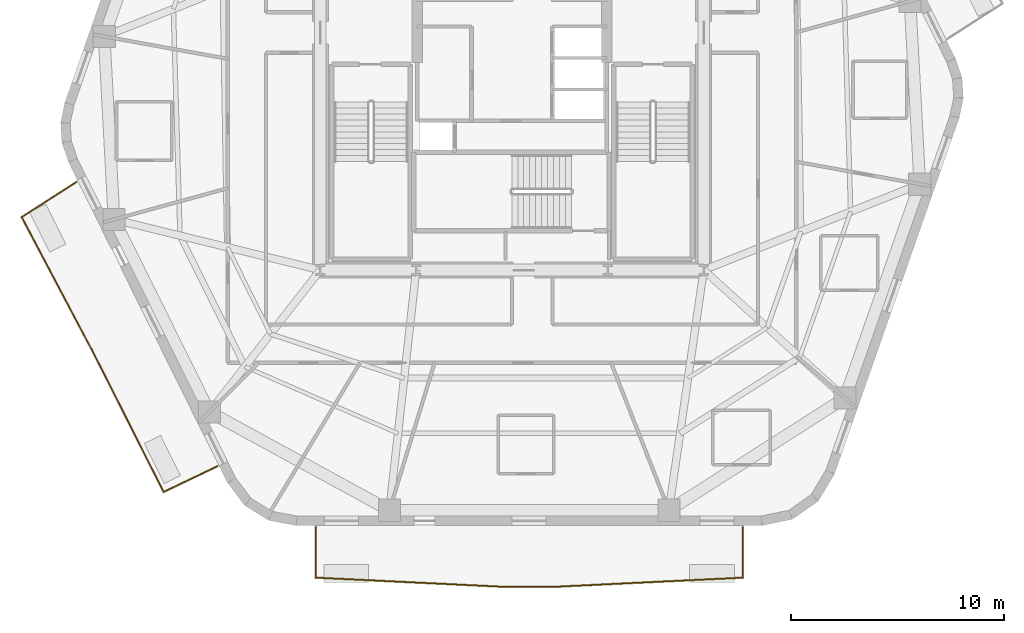
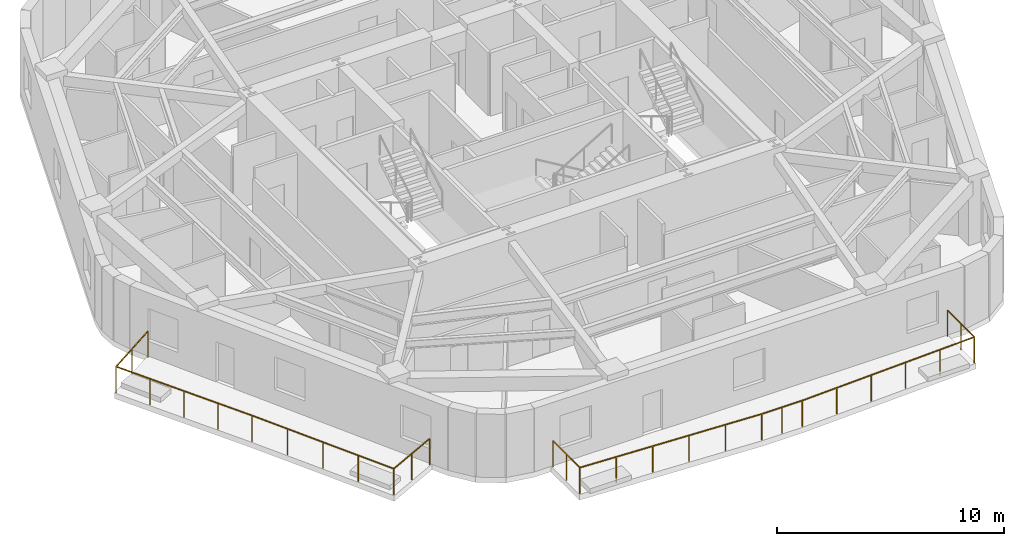
# One storey, part 8 of 10: 2 railings.
"""IFC4 building model written with IfcOpenShell, lengths in metres."""

from ifc_helpers import new_model, si_unit, direction, frame, origin, origin_2d, place, context, subcontext, project, spatial, rectangle, extrude, material, layer, layer_set, type_object, element, save


model = new_model("IFC4")

# Units and contexts
model_context = context("Model", 3, precision=1e-05, world=origin(), true_north=direction((0.0, 1.0)))
body_context = subcontext(model_context, "Body", "Model", "MODEL_VIEW")
ifc_project = project(units=[si_unit("LENGTHUNIT", "METRE"), si_unit("AREAUNIT", "SQUARE_METRE"), si_unit("VOLUMEUNIT", "CUBIC_METRE"), si_unit("PLANEANGLEUNIT", "RADIAN"), si_unit("MASSUNIT", "GRAM", prefix="KILO")], contexts=[model_context])

# Site, building, storey
site_placement = place(None, origin())
site = spatial("IfcSite", under=ifc_project, at=site_placement, CompositionType="ELEMENT")
building_placement = place(site_placement, origin())
building = spatial("IfcBuilding", under=site, at=building_placement, Name="Kilnhurst Terrace Hotel", CompositionType="ELEMENT")
storey_placement = place(building_placement, frame((0.0, 0.0, 190.39990234375)))
storey = spatial("IfcBuildingStorey", under=building, at=storey_placement, Name="L47", CompositionType="ELEMENT", Elevation=190.39990234375)

# Railings
ifc_material = material(Name="Laminated SentryGlas and Stainless Steel AISI 316L Balustrade", Category="steel")
ifc_layer = layer(ifc_material, 0.070068359375, Name="Laminated SentryGlas and Stainless Steel AISI 316L Balustrade")
ifc_layer_set = layer_set([ifc_layer], Name="Laminated SentryGlas and Stainless Steel AISI 316L Balustrade")
railing_type = type_object("IfcRailingType", Name="RLG-BAL-1420", PredefinedType="BALUSTRADE", material=ifc_layer_set)
railing_1_placement = place(storey_placement, frame((-13.83544921875, -16.709716796875, 0.0)))
element("IfcRailing", 1, at=railing_1_placement, inside=storey, type_object=railing_type, Name="L47 Exterior Terrace Guardrail BAL-L2A.1", PredefinedType="BALUSTRADE", context=body_context, shape_type="SweptSolid", body=[
    extrude(rectangle(XDim=0.048095703125, YDim=0.048095703125, at=origin_2d()), frame((0.0, 0.0, 1.39599609375), z_axis=(-0.901469931109, -0.43284173009, 0.0), x_axis=(0.43284173009, -0.901469931109, 0.0)), (0.0, 0.0, 1.0), 2.797119140625),
    extrude(rectangle(XDim=0.048095703125, YDim=0.048095703125, at=origin_2d()), frame((-2.521484375, -1.210693359375, 1.39599609375), z_axis=(-0.450616671131, 0.892717545307, 0.0), x_axis=(-0.892717545307, -0.450616671131, 0.0)), (0.0, 0.0, 1.0), 7.453857421875),
    extrude(rectangle(XDim=0.048095703125, YDim=0.048095703125, at=origin_2d()), frame((-5.88037109375, 5.443603515625, 1.39599609375), z_axis=(-0.4472135955, 0.894427191, 0.0), x_axis=(-0.894427191, -0.4472135955, 0.0)), (0.0, 0.0, 1.0), 0.0009765625),
    extrude(rectangle(XDim=0.048095703125, YDim=0.048095703125, at=origin_2d()), frame((-5.880859375, 5.444580078125, 1.39599609375), z_axis=(-0.46789407085, 0.883784554325, 0.0), x_axis=(-0.883784554325, -0.46789407085, 0.0)), (0.0, 0.0, 1.0), 7.0654296875),
    extrude(rectangle(XDim=0.048095703125, YDim=0.048095703125, at=origin_2d()), frame((-9.186767578125, 11.68896484375, 1.39599609375), z_axis=(0.841139546062, 0.540818143233, 0.0), x_axis=(-0.540818143233, 0.841139546062, 0.0)), (0.0, 0.0, 1.0), 3.056640625),
    extrude(rectangle(XDim=0.0419921875, YDim=0.0419921875, at=origin_2d()), origin(), (0.0, 0.0, 1.0), 1.371826171875),
    extrude(rectangle(XDim=0.0419921875, YDim=0.0419921875, at=origin_2d()), frame((-1.2607421875, -0.60546875, 0.0)), (0.0, 0.0, 1.0), 1.371826171875),
    extrude(rectangle(XDim=0.0419921875, YDim=0.0419921875, at=origin_2d()), frame((-2.521484375, -1.210693359375, 0.0)), (0.0, 0.0, 1.0), 1.371826171875),
    extrude(rectangle(XDim=0.0419921875, YDim=0.0419921875, at=origin_2d()), frame((-3.361328125, 0.452880859375, 0.0)), (0.0, 0.0, 1.0), 1.371826171875),
    extrude(rectangle(XDim=0.0419921875, YDim=0.0419921875, at=origin_2d()), frame((-4.200927734375, 2.116455078125, 0.0)), (0.0, 0.0, 1.0), 1.371826171875),
    extrude(rectangle(XDim=0.0419921875, YDim=0.0419921875, at=origin_2d()), frame((-5.04052734375, 3.780029296875, 0.0)), (0.0, 0.0, 1.0), 1.371826171875),
    extrude(rectangle(XDim=0.0419921875, YDim=0.0419921875, at=origin_2d()), frame((-5.88037109375, 5.443603515625, 0.0)), (0.0, 0.0, 1.0), 1.371826171875),
    extrude(rectangle(XDim=0.0419921875, YDim=0.0419921875, at=origin_2d()), frame((-5.880859375, 5.444580078125, 0.0)), (0.0, 0.0, 1.0), 1.371826171875),
    extrude(rectangle(XDim=0.0419921875, YDim=0.0419921875, at=origin_2d()), frame((-6.707275390625, 7.005615234375, 0.0)), (0.0, 0.0, 1.0), 1.371826171875),
    extrude(rectangle(XDim=0.0419921875, YDim=0.0419921875, at=origin_2d()), frame((-7.53369140625, 8.56689453125, 0.0)), (0.0, 0.0, 1.0), 1.371826171875),
    extrude(rectangle(XDim=0.0419921875, YDim=0.0419921875, at=origin_2d()), frame((-8.3603515625, 10.1279296875, 0.0)), (0.0, 0.0, 1.0), 1.371826171875),
    extrude(rectangle(XDim=0.0419921875, YDim=0.0419921875, at=origin_2d()), frame((-9.186767578125, 11.68896484375, 0.0)), (0.0, 0.0, 1.0), 1.371826171875),
    extrude(rectangle(XDim=0.0419921875, YDim=0.0419921875, at=origin_2d()), frame((-7.9013671875, 12.515625, 0.0)), (0.0, 0.0, 1.0), 1.371826171875),
    extrude(rectangle(XDim=0.0419921875, YDim=0.0419921875, at=origin_2d()), frame((-6.61572265625, 13.342041015625, 0.0)), (0.0, 0.0, 1.0), 1.371826171875),
])
railing_2_placement = place(storey_placement, frame((10.83349609375, -19.580078125, 0.0)))
element("IfcRailing", 2, at=railing_2_placement, inside=storey, type_object=railing_type, Name="L47 Exterior Terrace Guardrail BAL-L2B.1", PredefinedType="BALUSTRADE", context=body_context, shape_type="SweptSolid", body=[
    extrude(rectangle(XDim=0.048095703125, YDim=0.048095703125, at=origin_2d()), frame((0.0, 0.0, 1.39599609375), z_axis=(0.0, -1.0, 0.0), x_axis=(1.0, 0.0, 0.0)), (0.0, 0.0, 1.0), 2.36279296875),
    extrude(rectangle(XDim=0.048095703125, YDim=0.048095703125, at=origin_2d()), frame((0.0, -2.36279296875, 1.39599609375), z_axis=(-0.998822813861, -0.048507592295, 0.0), x_axis=(0.048507592295, -0.998822813861, 0.0)), (0.0, 0.0, 1.0), 9.009033203125),
    extrude(rectangle(XDim=0.048095703125, YDim=0.048095703125, at=origin_2d()), frame((-8.99853515625, -2.7998046875, 1.39599609375), z_axis=(-1.0, 0.0, 0.0), x_axis=(0.0, -1.0, 0.0)), (0.0, 0.0, 1.0), 2.0556640625),
    extrude(rectangle(XDim=0.048095703125, YDim=0.048095703125, at=origin_2d()), frame((-11.05419921875, -2.7998046875, 1.39599609375), z_axis=(-0.998822813861, 0.048507592295, 0.0), x_axis=(-0.048507592295, -0.998822813861, 0.0)), (0.0, 0.0, 1.0), 9.009033203125),
    extrude(rectangle(XDim=0.048095703125, YDim=0.048095703125, at=origin_2d()), frame((-20.052734375, -2.36279296875, 1.39599609375), z_axis=(0.0, 1.0, 0.0), x_axis=(-1.0, 0.0, 0.0)), (0.0, 0.0, 1.0), 2.36279296875),
    extrude(rectangle(XDim=0.0419921875, YDim=0.0419921875, at=origin_2d()), origin(), (0.0, 0.0, 1.0), 1.371826171875),
    extrude(rectangle(XDim=0.0419921875, YDim=0.0419921875, at=origin_2d()), frame((0.0, -1.181396484375, 0.0)), (0.0, 0.0, 1.0), 1.371826171875),
    extrude(rectangle(XDim=0.0419921875, YDim=0.0419921875, at=origin_2d()), frame((0.0, -2.36279296875, 0.0)), (0.0, 0.0, 1.0), 1.371826171875),
    extrude(rectangle(XDim=0.0419921875, YDim=0.0419921875, at=origin_2d()), frame((-1.7998046875, -2.4501953125, 0.0)), (0.0, 0.0, 1.0), 1.371826171875),
    extrude(rectangle(XDim=0.0419921875, YDim=0.0419921875, at=origin_2d()), frame((-3.599365234375, -2.53759765625, 0.0)), (0.0, 0.0, 1.0), 1.371826171875),
    extrude(rectangle(XDim=0.0419921875, YDim=0.0419921875, at=origin_2d()), frame((-5.399169921875, -2.625, 0.0)), (0.0, 0.0, 1.0), 1.371826171875),
    extrude(rectangle(XDim=0.0419921875, YDim=0.0419921875, at=origin_2d()), frame((-7.19873046875, -2.71240234375, 0.0)), (0.0, 0.0, 1.0), 1.371826171875),
    extrude(rectangle(XDim=0.0419921875, YDim=0.0419921875, at=origin_2d()), frame((-8.99853515625, -2.7998046875, 0.0)), (0.0, 0.0, 1.0), 1.371826171875),
    extrude(rectangle(XDim=0.0419921875, YDim=0.0419921875, at=origin_2d()), frame((-10.0263671875, -2.7998046875, 0.0)), (0.0, 0.0, 1.0), 1.371826171875),
    extrude(rectangle(XDim=0.0419921875, YDim=0.0419921875, at=origin_2d()), frame((-11.05419921875, -2.7998046875, 0.0)), (0.0, 0.0, 1.0), 1.371826171875),
    extrude(rectangle(XDim=0.0419921875, YDim=0.0419921875, at=origin_2d()), frame((-12.85400390625, -2.71240234375, 0.0)), (0.0, 0.0, 1.0), 1.371826171875),
    extrude(rectangle(XDim=0.0419921875, YDim=0.0419921875, at=origin_2d()), frame((-14.653564453125, -2.625, 0.0)), (0.0, 0.0, 1.0), 1.371826171875),
    extrude(rectangle(XDim=0.0419921875, YDim=0.0419921875, at=origin_2d()), frame((-16.453369140625, -2.53759765625, 0.0)), (0.0, 0.0, 1.0), 1.371826171875),
    extrude(rectangle(XDim=0.0419921875, YDim=0.0419921875, at=origin_2d()), frame((-18.2529296875, -2.4501953125, 0.0)), (0.0, 0.0, 1.0), 1.371826171875),
    extrude(rectangle(XDim=0.0419921875, YDim=0.0419921875, at=origin_2d()), frame((-20.052734375, -2.36279296875, 0.0)), (0.0, 0.0, 1.0), 1.371826171875),
    extrude(rectangle(XDim=0.0419921875, YDim=0.0419921875, at=origin_2d()), frame((-20.052734375, -1.181396484375, 0.0)), (0.0, 0.0, 1.0), 1.371826171875),
    extrude(rectangle(XDim=0.0419921875, YDim=0.0419921875, at=origin_2d()), frame((-20.052734375, 0.0, 0.0)), (0.0, 0.0, 1.0), 1.371826171875),
])

save(model, "model.ifc")
